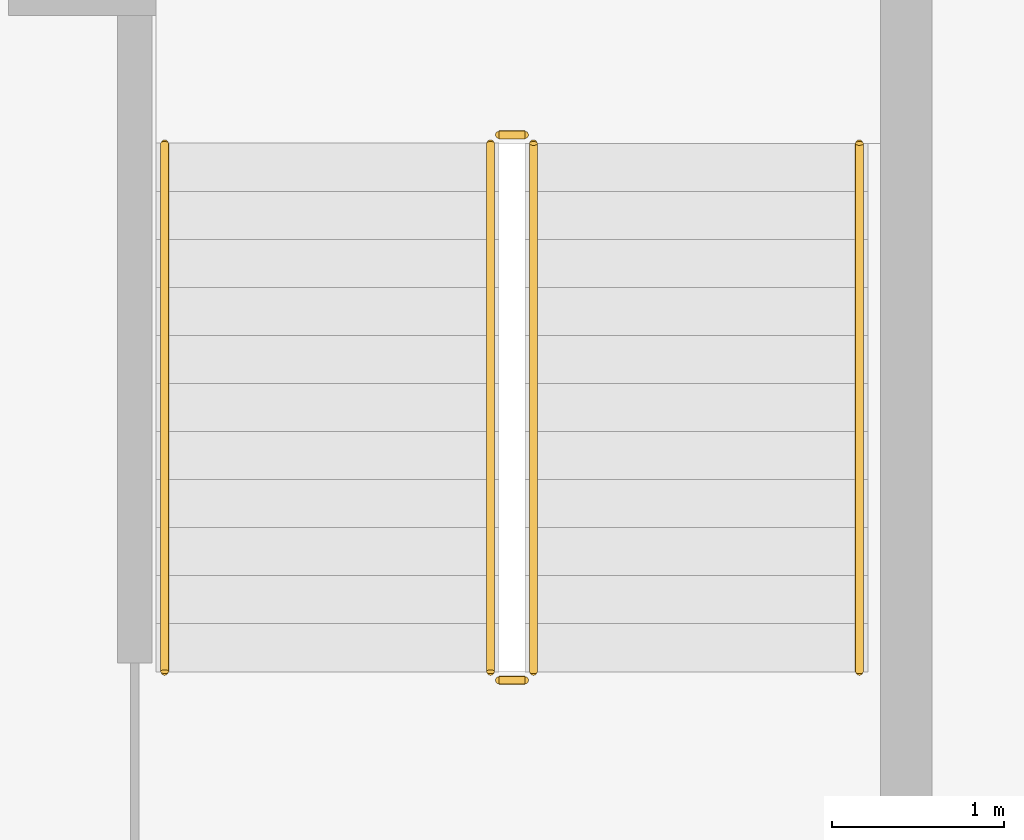
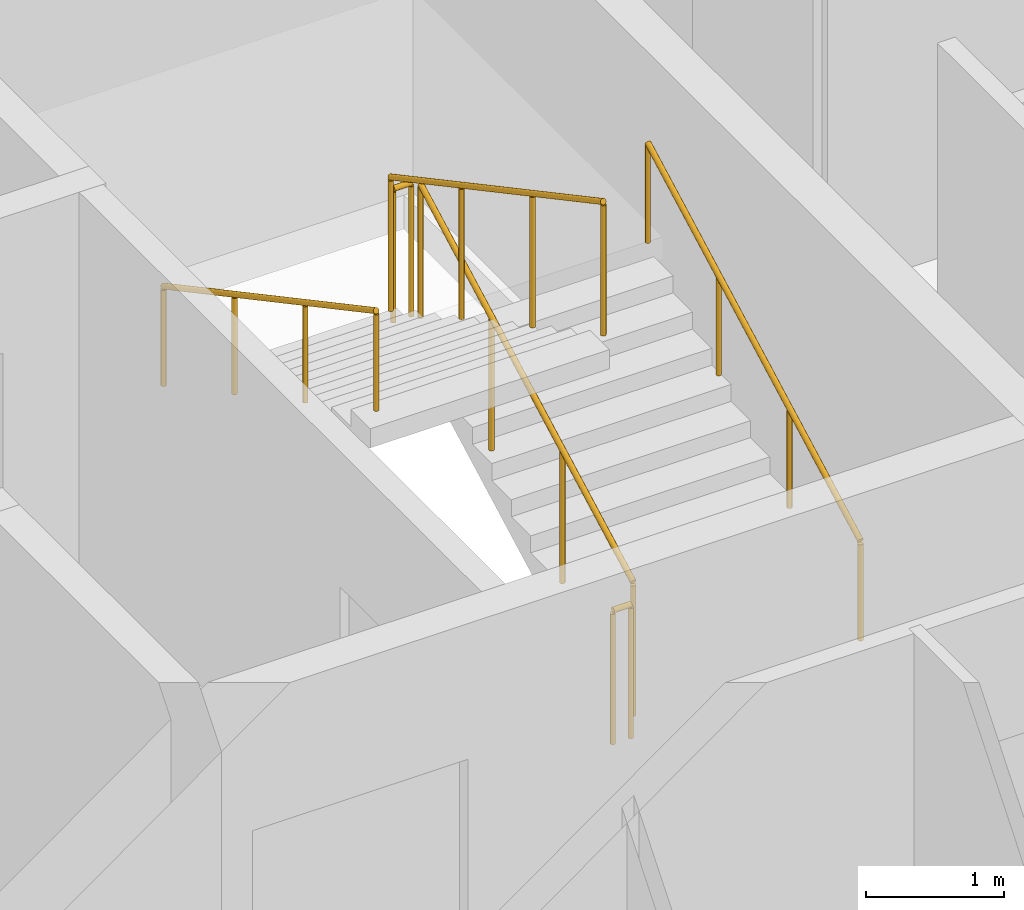
# One storey, part 14 of 14: 6 railings.
"""IFC4 building model written with IfcOpenShell, lengths in metres."""

from ifc_helpers import new_model, si_unit, direction, frame, origin, origin_2d, place, context, subcontext, project, spatial, circle, extrude, material, type_object, element, save


model = new_model("IFC4")

# Units and contexts
model_context = context("Model", 3, precision=1e-05, world=origin(), true_north=direction((0.0, 1.0)))
body_context = subcontext(model_context, "Body", "Model", "MODEL_VIEW")
ifc_project = project(units=[si_unit("LENGTHUNIT", "METRE"), si_unit("AREAUNIT", "SQUARE_METRE"), si_unit("VOLUMEUNIT", "CUBIC_METRE"), si_unit("PLANEANGLEUNIT", "RADIAN"), si_unit("MASSUNIT", "GRAM", prefix="KILO")], contexts=[model_context])

# Site, building, storey
site_placement = place(None, origin())
site = spatial("IfcSite", under=ifc_project, at=site_placement, CompositionType="ELEMENT")
building_placement = place(site_placement, origin())
building = spatial("IfcBuilding", under=site, at=building_placement, Name="Caravel Reach Hotel and Residences", CompositionType="ELEMENT")
storey_placement = place(building_placement, frame((0.0, 0.0, 40.800048828125)))
storey = spatial("IfcBuildingStorey", under=building, at=storey_placement, Name="L08", CompositionType="ELEMENT", Elevation=40.800048828125)

# Railings
ifc_material_1 = material(Name="Steel balustrade with glass infill", Category="steel")
railing_type_1 = type_object("IfcRailingType", Name="Guard 1200", PredefinedType="GUARDRAIL", material=ifc_material_1)
railing_1_placement = place(storey_placement, frame((42.824951171875, 24.64990234375, 0.14990234375)))
element("IfcRailing", 1, at=railing_1_placement, inside=storey, type_object=railing_type_1, Name="L08 ST-B stair guard 1", PredefinedType="GUARDRAIL", context=body_context, shape_type="SweptSolid", body=[
    extrude(circle(Radius=0.02392578125, at=origin_2d()), frame((0.0, 0.0, 1.17578125), z_axis=(0.0, 0.881467505477, 0.472244678941), x_axis=(-1.0, 0.0, 0.0)), (0.0, 0.0, 1.0), 3.494140625),
    extrude(circle(Radius=0.02099609375, at=origin_2d()), origin(), (0.0, 0.0, 1.0), 1.15185546875),
    extrude(circle(Radius=0.02099609375, at=origin_2d()), frame((0.0, 1.026611328125, 0.550048828125)), (0.0, 0.0, 1.0), 1.15185546875),
    extrude(circle(Radius=0.02099609375, at=origin_2d()), frame((0.0, 2.053466796875, 1.10009765625)), (0.0, 0.0, 1.0), 1.15185546875),
    extrude(circle(Radius=0.02099609375, at=origin_2d()), frame((0.0, 3.080078125, 1.650146484375)), (0.0, 0.0, 1.0), 1.15185546875),
])
railing_2_placement = place(storey_placement, frame((42.77490234375, 27.780029296875, 1.800048828125)))
element("IfcRailing", 2, at=railing_2_placement, inside=storey, type_object=railing_type_1, Name="L08 ST-B stair guard 2", PredefinedType="GUARDRAIL", context=body_context, shape_type="SweptSolid", body=[
    extrude(circle(Radius=0.02392578125, at=origin_2d()), frame((0.0, 0.0, 1.17578125), z_axis=(-1.0, 0.0, 0.0), x_axis=(0.0, -1.0, 0.0)), (0.0, 0.0, 1.0), 0.14990234375),
    extrude(circle(Radius=0.02099609375, at=origin_2d()), origin(), (0.0, 0.0, 1.0), 1.15185546875),
    extrude(circle(Radius=0.02099609375, at=origin_2d()), frame((-0.14990234375, 0.0, 0.0)), (0.0, 0.0, 1.0), 1.15185546875),
])
railing_3_placement = place(storey_placement, frame((42.574951171875, 27.72998046875, 1.949951171875)))
element("IfcRailing", 3, at=railing_3_placement, inside=storey, type_object=railing_type_1, Name="L08 ST-B stair guard 3", PredefinedType="GUARDRAIL", context=body_context, shape_type="SweptSolid", body=[
    extrude(circle(Radius=0.02392578125, at=origin_2d()), frame((0.0, 0.0, 1.17578125), z_axis=(0.0, -0.881496589024, 0.472190389079), x_axis=(1.0, 0.0, 0.0)), (0.0, 0.0, 1.0), 3.494140625),
    extrude(circle(Radius=0.02099609375, at=origin_2d()), origin(), (0.0, 0.0, 1.0), 1.15185546875),
    extrude(circle(Radius=0.02099609375, at=origin_2d()), frame((0.0, -1.026611328125, 0.550048828125)), (0.0, 0.0, 1.0), 1.15185546875),
    extrude(circle(Radius=0.02099609375, at=origin_2d()), frame((0.0, -2.053466796875, 1.099853515625)), (0.0, 0.0, 1.0), 1.15185546875),
    extrude(circle(Radius=0.02099609375, at=origin_2d()), frame((0.0, -3.080078125, 1.64990234375)), (0.0, 0.0, 1.0), 1.15185546875),
])
railing_4_placement = place(storey_placement, frame((42.77490234375, 24.60009765625, 0.0)))
element("IfcRailing", 4, at=railing_4_placement, inside=storey, type_object=railing_type_1, Name="L08 ST-B stair guard 4", PredefinedType="GUARDRAIL", context=body_context, shape_type="SweptSolid", body=[
    extrude(circle(Radius=0.02392578125, at=origin_2d()), frame((0.0, 0.0, 1.17578125), z_axis=(-1.0, 0.0, 0.0), x_axis=(0.0, -1.0, 0.0)), (0.0, 0.0, 1.0), 0.14990234375),
    extrude(circle(Radius=0.02099609375, at=origin_2d()), origin(), (0.0, 0.0, 1.0), 1.15185546875),
    extrude(circle(Radius=0.02099609375, at=origin_2d()), frame((-0.14990234375, 0.0, 0.0)), (0.0, 0.0, 1.0), 1.15185546875),
])
ifc_material_2 = material(Name="Stainless steel handrail", Category="steel")
railing_type_2 = type_object("IfcRailingType", Name="Handrail 900", PredefinedType="HANDRAIL", material=ifc_material_2)
railing_5_placement = place(storey_placement, frame((44.72509765625, 24.64990234375, 0.14990234375)))
element("IfcRailing", 5, at=railing_5_placement, inside=storey, type_object=railing_type_2, Name="L08 ST-B stair handrail 1", PredefinedType="HANDRAIL", context=body_context, shape_type="SweptSolid", body=[
    extrude(circle(Radius=0.02392578125, at=origin_2d()), frame((0.0, 0.0, 0.8759765625), z_axis=(0.0, 0.881467505477, 0.472244678941), x_axis=(-1.0, 0.0, 0.0)), (0.0, 0.0, 1.0), 3.494140625),
    extrude(circle(Radius=0.02099609375, at=origin_2d()), origin(), (0.0, 0.0, 1.0), 0.851806640625),
    extrude(circle(Radius=0.02099609375, at=origin_2d()), frame((0.0, 1.026611328125, 0.550048828125)), (0.0, 0.0, 1.0), 0.851806640625),
    extrude(circle(Radius=0.02099609375, at=origin_2d()), frame((0.0, 2.053466796875, 1.10009765625)), (0.0, 0.0, 1.0), 0.851806640625),
    extrude(circle(Radius=0.02099609375, at=origin_2d()), frame((0.0, 3.080078125, 1.650146484375)), (0.0, 0.0, 1.0), 0.851806640625),
])
railing_6_placement = place(storey_placement, frame((40.675048828125, 27.72998046875, 1.949951171875)))
element("IfcRailing", 6, at=railing_6_placement, inside=storey, type_object=railing_type_2, Name="L08 ST-B stair handrail 2", PredefinedType="HANDRAIL", context=body_context, shape_type="SweptSolid", body=[
    extrude(circle(Radius=0.02392578125, at=origin_2d()), frame((0.0, 0.0, 0.8759765625), z_axis=(0.0, -0.881496589024, 0.472190389079), x_axis=(1.0, 0.0, 0.0)), (0.0, 0.0, 1.0), 3.494140625),
    extrude(circle(Radius=0.02099609375, at=origin_2d()), origin(), (0.0, 0.0, 1.0), 0.851806640625),
    extrude(circle(Radius=0.02099609375, at=origin_2d()), frame((0.0, -1.026611328125, 0.550048828125)), (0.0, 0.0, 1.0), 0.851806640625),
    extrude(circle(Radius=0.02099609375, at=origin_2d()), frame((0.0, -2.053466796875, 1.099853515625)), (0.0, 0.0, 1.0), 0.851806640625),
    extrude(circle(Radius=0.02099609375, at=origin_2d()), frame((0.0, -3.080078125, 1.64990234375)), (0.0, 0.0, 1.0), 0.851806640625),
])

save(model, "model.ifc")
